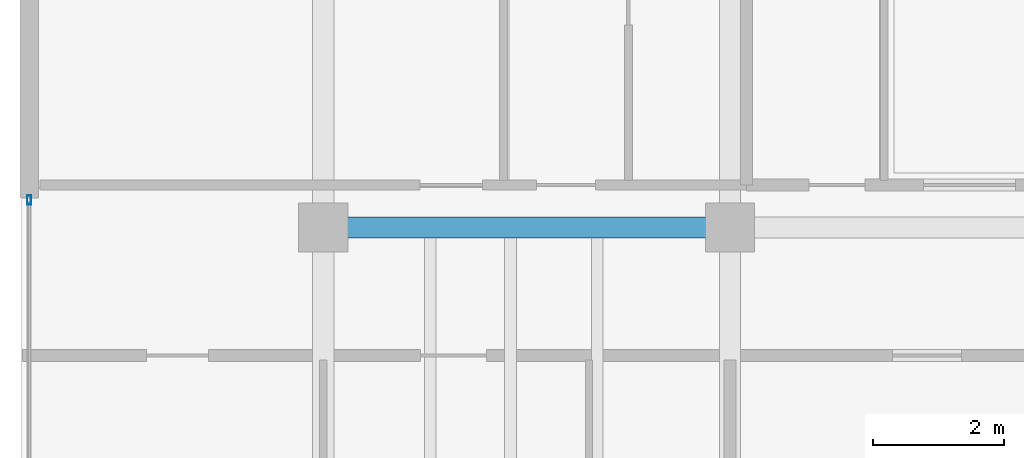
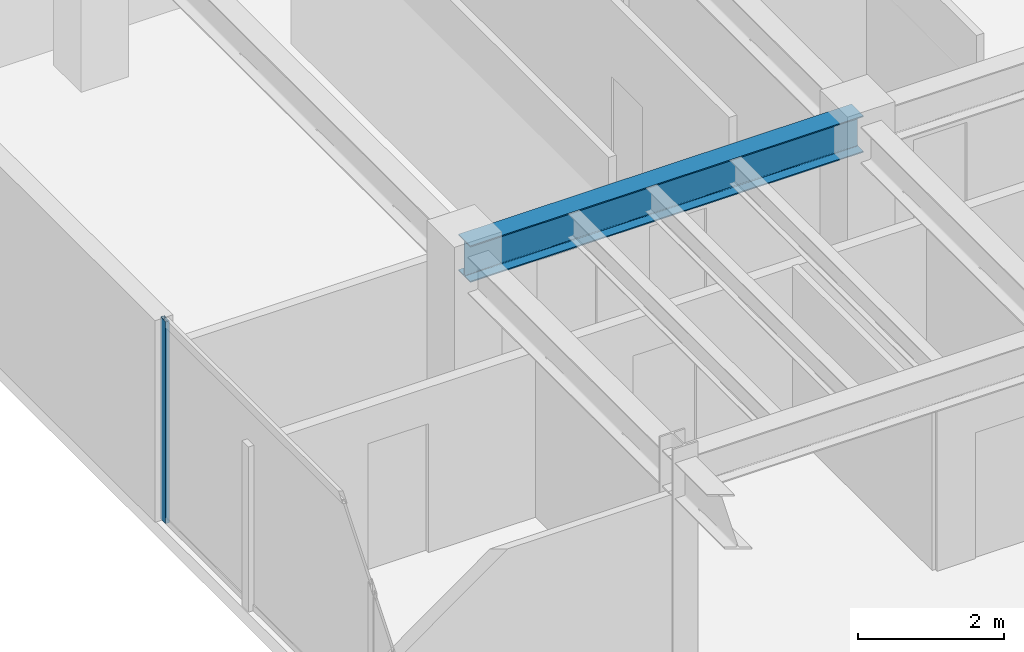
# One storey, part 11 of 16: 1 beam, 1 member, 1 element without a shape of its own.
"""IFC4 building model written with IfcOpenShell, lengths in metres."""

from ifc_helpers import new_model, si_unit, direction, frame, origin, origin_2d, place, context, subcontext, project, spatial, hollow_rectangle, i_section, extrude, material, layer, layer_set, material_profile, profile_set, type_object, element, aggregate, save


model = new_model("IFC4")

# Units and contexts
model_context = context("Model", 3, precision=1e-05, world=origin(), true_north=direction((0.0, 1.0)))
body_context = subcontext(model_context, "Body", "Model", "MODEL_VIEW")
ifc_project = project(units=[si_unit("LENGTHUNIT", "METRE"), si_unit("AREAUNIT", "SQUARE_METRE"), si_unit("VOLUMEUNIT", "CUBIC_METRE"), si_unit("PLANEANGLEUNIT", "RADIAN"), si_unit("MASSUNIT", "GRAM", prefix="KILO")], contexts=[model_context])

# Site, building, storey
site_placement = place(None, origin())
site = spatial("IfcSite", under=ifc_project, at=site_placement, CompositionType="ELEMENT")
building_placement = place(site_placement, origin())
building = spatial("IfcBuilding", under=site, at=building_placement, Name="Kravanh Interchange Tower", CompositionType="ELEMENT")
storey_placement = place(building_placement, frame((0.0, 0.0, 300.300048828125)))
storey = spatial("IfcBuildingStorey", under=building, at=storey_placement, Name="L74", CompositionType="ELEMENT", Elevation=300.300048828125)

# Curtain wall, member
ifc_material_1 = material(Name="Anodised Bronze Aluminium", Category="aluminium")
ifc_layer = layer(ifc_material_1, 0.179931640625)
ifc_layer_set = layer_set([ifc_layer], Name="Unitised Curtain Wall System CW-HTL Luxury Hotel")
curtain_wall_type = type_object("IfcCurtainWallType", Name="Unitised Curtain Wall System CW-HTL Luxury Hotel", PredefinedType="NOTDEFINED", material=ifc_layer_set)
curtain_wall_placement = place(storey_placement, origin())
curtain_wall = element("IfcCurtainWall", 1, at=curtain_wall_placement, inside=storey, type_object=curtain_wall_type, Name="L74 Unitised Curtain Wall CW-L74-01", PredefinedType="NOTDEFINED")
ifc_material_2 = material(Name="Anodised Bronze Aluminium", Category="aluminium")
ifc_material_profile_1 = material_profile(ifc_material_2, hollow_rectangle(XDim=0.06005859375, YDim=0.139892578125, WallThickness=0.00390625, at=origin_2d()), Name="ALU60X140X4")
ifc_profile_set_1 = profile_set([ifc_material_profile_1], Name="Anodised Bronze Aluminium")
member_type = type_object("IfcMemberType", Name="Curtain Wall Mullion ALU60X140X4 Bronze", PredefinedType="MULLION", material=ifc_profile_set_1)
member_placement = place(storey_placement, frame((34.1201171875, 37.77001953125, 0.0), z_axis=(0.0, 0.0, 1.0), x_axis=(-1.0, 0.0, 0.0)))
member = element("IfcMember", 2, at=member_placement, type_object=member_type, Name="CW-HTL mullion 4", PredefinedType="MULLION", context=body_context, shape_type="SweptSolid", body=[
    extrude(hollow_rectangle(XDim=0.06005859375, YDim=0.139892578125, WallThickness=0.00390625, at=origin_2d()), origin(), (0.0, 0.0, 1.0), 3.364990234375),
])
aggregate(curtain_wall, [member])

# Beam
ifc_material_3 = material(Name="Structural Steel S355", Category="steel")
ifc_material_profile_2 = material_profile(ifc_material_3, i_section(OverallWidth=0.323974609375, OverallDepth=0.611083984375, WebThickness=0.0126953125, FlangeThickness=0.01904296875, FilletRadius=0.02197265625, at=origin_2d()), Name="W24X104")
ifc_profile_set_2 = profile_set([ifc_material_profile_2], Name="Structural Steel S355")
beam_type = type_object("IfcBeamType", Name="Floor Beam W24X104 Structural Steel S355", PredefinedType="BEAM", material=ifc_profile_set_2)
beam_placement = place(storey_placement, frame((44.800048828125, 37.35009765625, 3.0595703125), z_axis=(-1.0, 0.0, 0.0), x_axis=(0.0, -1.0, 0.0)))
element("IfcBeam", 3, at=beam_placement, inside=storey, type_object=beam_type, Name="L74 Primary Floor Girder 37", PredefinedType="BEAM", context=body_context, shape_type="SweptSolid", body=[
    extrude(i_section(OverallWidth=0.323974609375, OverallDepth=0.611083984375, WebThickness=0.0126953125, FlangeThickness=0.01904296875, FilletRadius=0.02197265625, at=origin_2d()), origin(), (0.0, 0.0, 1.0), 6.199951171875),
])

save(model, "model.ifc")
